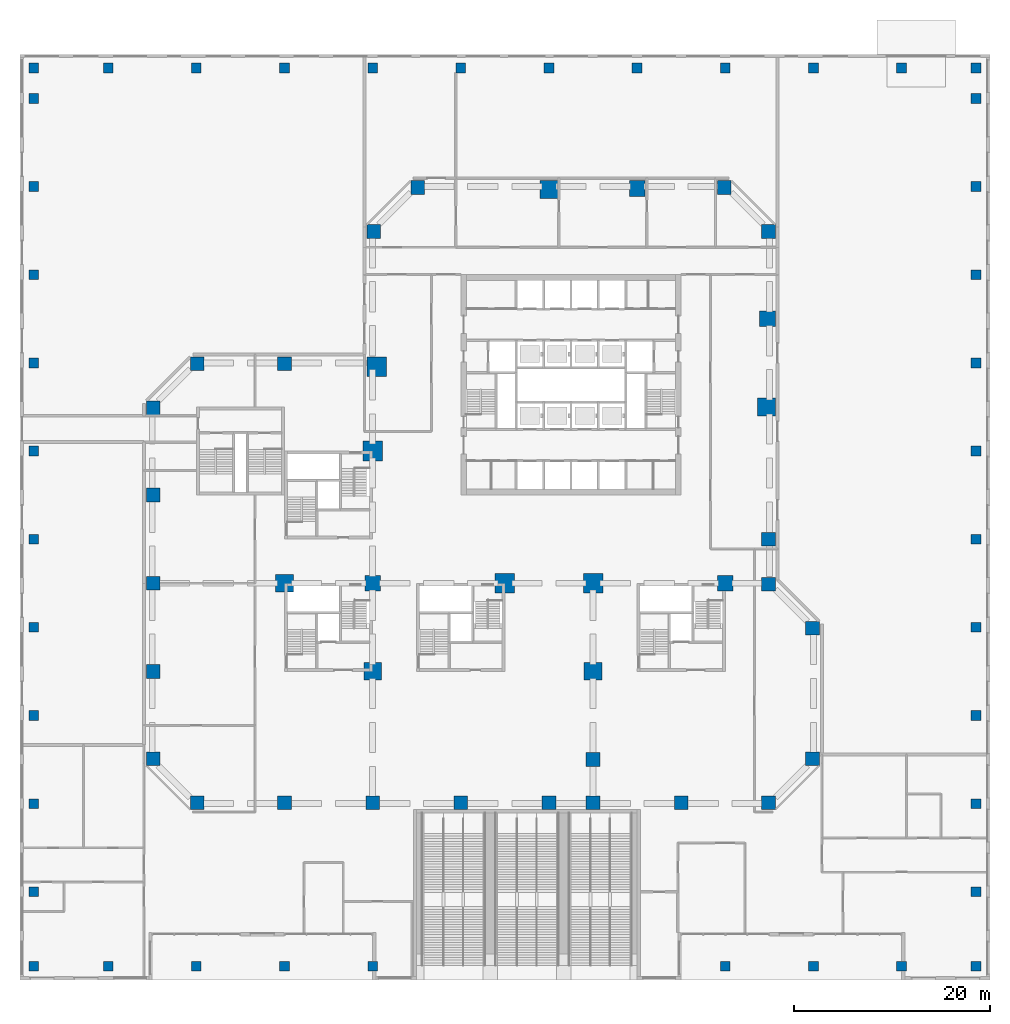
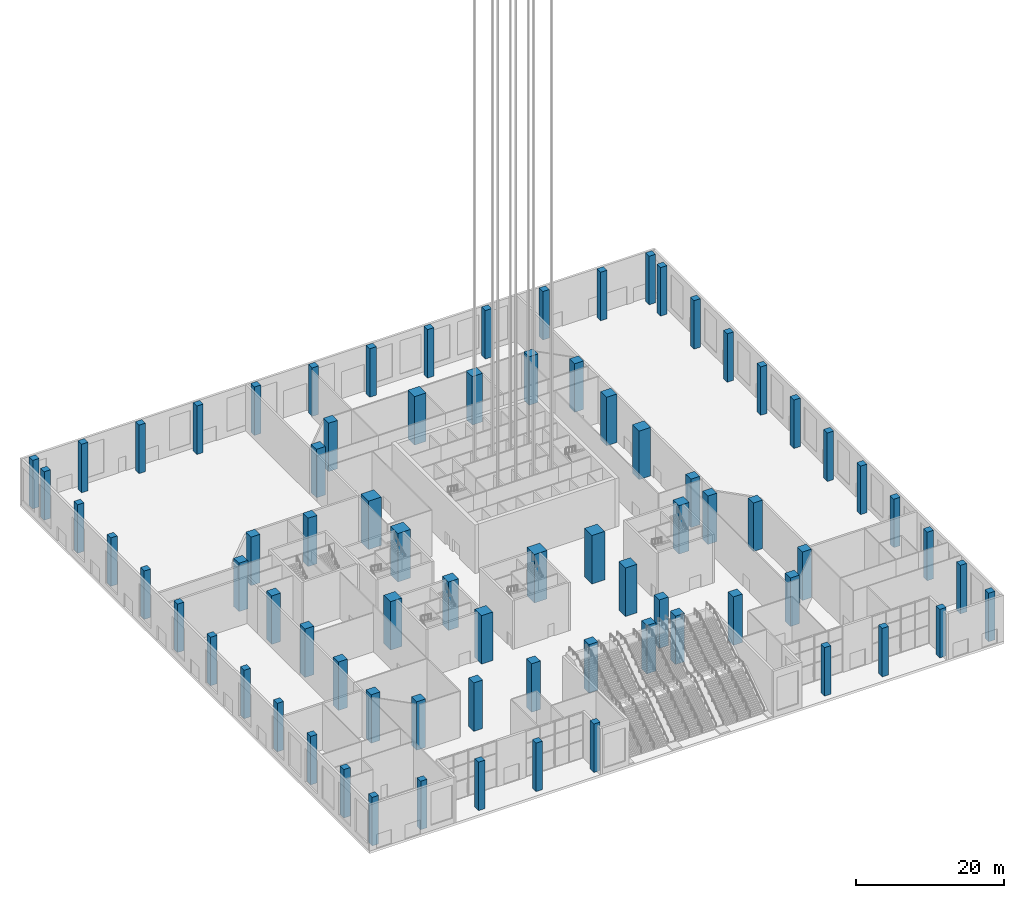
# One storey, part 1 of 32: 78 columns.
"""IFC4 building model written with IfcOpenShell, lengths in metres."""

from ifc_helpers import new_model, si_unit, direction, frame, origin, origin_2d, place, context, subcontext, project, spatial, rectangle, extrude, material, material_profile, profile_set, type_object, element, save


model = new_model("IFC4")

# Units and contexts
model_context = context("Model", 3, precision=1e-05, world=origin(), true_north=direction((0.0, 1.0)))
body_context = subcontext(model_context, "Body", "Model", "MODEL_VIEW")
ifc_project = project(units=[si_unit("LENGTHUNIT", "METRE"), si_unit("AREAUNIT", "SQUARE_METRE"), si_unit("VOLUMEUNIT", "CUBIC_METRE"), si_unit("PLANEANGLEUNIT", "RADIAN"), si_unit("MASSUNIT", "GRAM", prefix="KILO")], contexts=[model_context])

# Site, building, storey
site_placement = place(None, origin())
site = spatial("IfcSite", under=ifc_project, at=site_placement, CompositionType="ELEMENT")
building_placement = place(site_placement, origin())
building = spatial("IfcBuilding", under=site, at=building_placement, Name="Quoin Convention Tower", CompositionType="ELEMENT")
storey_placement = place(building_placement, origin())
storey = spatial("IfcBuildingStorey", under=building, at=storey_placement, Name="L00", CompositionType="ELEMENT", Elevation=0.0)

# Columns
ifc_material = material(Name="Concrete C100 (100 MPa)", Category="concrete")
ifc_material_profile_1 = material_profile(ifc_material, rectangle(XDim=1.0, YDim=1.0, at=origin_2d()), Name="RC 1000x1000")
ifc_profile_set_1 = profile_set([ifc_material_profile_1], Name="Concrete C100 (100 MPa)")
column_type_1 = type_object("IfcColumnType", Name="RC 1000x1000 C100", PredefinedType="COLUMN", material=ifc_profile_set_1)
for number, where, z_axis, x_axis, name in (
    (1, (1.39990234375, 1.39990234375, 0.0), (0.0, 0.0, 1.0), (1.0, 0.0, 0.0), "col-L00-X1400_1400"),
    (2, (9.0, 1.39990234375, 0.0), (0.0, 0.0, 1.0), (1.0, 0.0, 0.0), "col-L00-X9000_1400"),
    (3, (18.0, 1.39990234375, 0.0), (0.0, 0.0, 1.0), (1.0, 0.0, 0.0), "col-L00-X18000_1400"),
    (4, (27.0, 1.39990234375, 0.0), (0.0, 0.0, 1.0), (1.0, 0.0, 0.0), "col-L00-X27000_1400"),
    (5, (36.0, 1.39990234375, 0.0), (0.0, 0.0, 1.0), (1.0, 0.0, 0.0), "col-L00-X36000_1400"),
    (6, (72.0, 1.39990234375, 0.0), (0.0, 0.0, 1.0), (1.0, 0.0, 0.0), "col-L00-X72000_1400"),
    (7, (81.0, 1.39990234375, 0.0), (0.0, 0.0, 1.0), (1.0, 0.0, 0.0), "col-L00-X81000_1400"),
    (8, (90.0, 1.39990234375, 0.0), (0.0, 0.0, 1.0), (1.0, 0.0, 0.0), "col-L00-X90000_1400"),
    (9, (97.60009765625, 1.39990234375, 0.0), (0.0, 0.0, 1.0), (1.0, 0.0, 0.0), "col-L00-X97600_1400"),
    (10, (1.39990234375, 9.0, 0.0), (0.0, 0.0, 1.0), (1.0, 0.0, 0.0), "col-L00-X1400_9000"),
    (11, (97.60009765625, 9.0, 0.0), (0.0, 0.0, 1.0), (1.0, 0.0, 0.0), "col-L00-X97600_9000"),
    (12, (1.39990234375, 18.0, 0.0), (0.0, 0.0, 1.0), (1.0, 0.0, 0.0), "col-L00-X1400_18000"),
    (13, (97.60009765625, 18.0, 0.0), (0.0, 0.0, 1.0), (1.0, 0.0, 0.0), "col-L00-X97600_18000"),
    (14, (1.39990234375, 27.0, 0.0), (0.0, 0.0, 1.0), (1.0, 0.0, 0.0), "col-L00-X1400_27000"),
    (15, (97.60009765625, 27.0, 0.0), (0.0, 0.0, 1.0), (1.0, 0.0, 0.0), "col-L00-X97600_27000"),
    (16, (1.39990234375, 36.0, 0.0), (0.0, 0.0, 1.0), (1.0, 0.0, 0.0), "col-L00-X1400_36000"),
    (17, (97.60009765625, 36.0, 0.0), (0.0, 0.0, 1.0), (1.0, 0.0, 0.0), "col-L00-X97600_36000"),
    (18, (1.39990234375, 45.0, 0.0), (0.0, 0.0, 1.0), (1.0, 0.0, 0.0), "col-L00-X1400_45000"),
    (19, (97.60009765625, 45.0, 0.0), (0.0, 0.0, 1.0), (1.0, 0.0, 0.0), "col-L00-X97600_45000"),
    (20, (1.39990234375, 54.0, 0.0), (0.0, 0.0, 1.0), (1.0, 0.0, 0.0), "col-L00-X1400_54000"),
    (21, (97.60009765625, 54.0, 0.0), (0.0, 0.0, 1.0), (1.0, 0.0, 0.0), "col-L00-X97600_54000"),
    (22, (1.39990234375, 63.0, 0.0), (0.0, 0.0, 1.0), (1.0, 0.0, 0.0), "col-L00-X1400_63000"),
    (23, (97.60009765625, 63.0, 0.0), (0.0, 0.0, 1.0), (1.0, 0.0, 0.0), "col-L00-X97600_63000"),
    (24, (1.39990234375, 72.0, 0.0), (0.0, 0.0, 1.0), (1.0, 0.0, 0.0), "col-L00-X1400_72000"),
    (25, (97.60009765625, 72.0, 0.0), (0.0, 0.0, 1.0), (1.0, 0.0, 0.0), "col-L00-X97600_72000"),
    (26, (1.39990234375, 81.0, 0.0), (0.0, 0.0, 1.0), (1.0, 0.0, 0.0), "col-L00-X1400_81000"),
    (27, (97.60009765625, 81.0, 0.0), (0.0, 0.0, 1.0), (1.0, 0.0, 0.0), "col-L00-X97600_81000"),
    (28, (1.39990234375, 90.0, 0.0), (0.0, 0.0, 1.0), (1.0, 0.0, 0.0), "col-L00-X1400_90000"),
    (29, (97.60009765625, 90.0, 0.0), (0.0, 0.0, 1.0), (1.0, 0.0, 0.0), "col-L00-X97600_90000"),
    (30, (1.39990234375, 93.10009765625, 0.0), (0.0, 0.0, 1.0), (1.0, 0.0, 0.0), "col-L00-X1400_93100"),
    (31, (9.0, 93.10009765625, 0.0), (0.0, 0.0, 1.0), (1.0, 0.0, 0.0), "col-L00-X9000_93100"),
    (32, (18.0, 93.10009765625, 0.0), (0.0, 0.0, 1.0), (1.0, 0.0, 0.0), "col-L00-X18000_93100"),
    (33, (27.0, 93.10009765625, 0.0), (0.0, 0.0, 1.0), (1.0, 0.0, 0.0), "col-L00-X27000_93100"),
    (34, (36.0, 93.10009765625, 0.0), (0.0, 0.0, 1.0), (1.0, 0.0, 0.0), "col-L00-X36000_93100"),
    (35, (45.0, 93.10009765625, 0.0), (0.0, 0.0, 1.0), (1.0, 0.0, 0.0), "col-L00-X45000_93100"),
    (36, (54.0, 93.10009765625, 0.0), (0.0, 0.0, 1.0), (1.0, 0.0, 0.0), "col-L00-X54000_93100"),
    (37, (63.0, 93.10009765625, 0.0), (0.0, 0.0, 1.0), (1.0, 0.0, 0.0), "col-L00-X63000_93100"),
    (38, (72.0, 93.10009765625, 0.0), (0.0, 0.0, 1.0), (1.0, 0.0, 0.0), "col-L00-X72000_93100"),
    (39, (81.0, 93.10009765625, 0.0), (0.0, 0.0, 1.0), (1.0, 0.0, 0.0), "col-L00-X81000_93100"),
    (40, (90.0, 93.10009765625, 0.0), (0.0, 0.0, 1.0), (1.0, 0.0, 0.0), "col-L00-X90000_93100"),
    (41, (97.60009765625, 93.10009765625, 0.0), (0.0, 0.0, 1.0), (1.0, 0.0, 0.0), "col-L00-X97600_93100"),
):
    element("IfcColumn", number, at=place(storey_placement, frame(where, z_axis=z_axis, x_axis=x_axis)), inside=storey, type_object=column_type_1, Name=name, PredefinedType="COLUMN", context=body_context, shape_type="SweptSolid", body=[
        extrude(rectangle(XDim=1.0, YDim=1.0, at=origin_2d()), origin(), (0.0, 0.0, 1.0), 8.0),
    ])
ifc_material_profile_2 = material_profile(ifc_material, rectangle(XDim=1.39990234375, YDim=1.39990234375, at=origin_2d()), Name="RC 1400x1400")
ifc_profile_set_2 = profile_set([ifc_material_profile_2], Name="Concrete C100 (100 MPa)")
column_type_2 = type_object("IfcColumnType", Name="RC 1400x1400 C100", PredefinedType="COLUMN", material=ifc_profile_set_2)
for number, where, z_axis, x_axis, name in (
    (42, (18.10009765625, 18.10009765625, 0.0), (0.0, 0.0, 1.0), (1.0, 0.0, 0.0), "col-L00-18000_18000"),
    (43, (27.0, 18.10009765625, 0.0), (0.0, 0.0, 1.0), (1.0, 0.0, 0.0), "col-L00-27000_18000"),
    (44, (36.0, 18.10009765625, 0.0), (0.0, 0.0, 1.0), (1.0, 0.0, 0.0), "col-L00-36000_18000"),
    (45, (45.0, 18.10009765625, 0.0), (0.0, 0.0, 1.0), (1.0, 0.0, 0.0), "col-L00-45000_18000"),
    (46, (54.0, 18.10009765625, 0.0), (0.0, 0.0, 1.0), (1.0, 0.0, 0.0), "col-L00-54000_18000"),
    (47, (58.5, 18.10009765625, 0.0), (0.0, 0.0, 1.0), (1.0, 0.0, 0.0), "col-L00-58500_18000"),
    (48, (67.5, 18.10009765625, 0.0), (0.0, 0.0, 1.0), (1.0, 0.0, 0.0), "col-L00-67500_18000"),
    (49, (76.39990234375, 18.10009765625, 0.0), (0.0, 0.0, 1.0), (1.0, 0.0, 0.0), "col-L00-76500_18000"),
    (50, (13.60009765625, 22.60009765625, 0.0), (0.0, 0.0, 1.0), (1.0, 0.0, 0.0), "col-L00-13500_22500"),
    (51, (58.5, 22.5, 0.0), (0.0, 0.0, 1.0), (1.0, 0.0, 0.0), "web-L00-58500_22500"),
    (52, (80.89990234375, 22.60009765625, 0.0), (0.0, 0.0, 1.0), (1.0, 0.0, 0.0), "col-L00-81000_22500"),
    (53, (13.60009765625, 31.5, 0.0), (0.0, 0.0, 1.0), (1.0, 0.0, 0.0), "col-L00-13500_31500"),
    (54, (80.89990234375, 35.89990234375, 0.0), (0.0, 0.0, 1.0), (1.0, 0.0, 0.0), "col-L00-81000_36000"),
    (55, (13.60009765625, 40.5, 0.0), (0.0, 0.0, 1.0), (1.0, 0.0, 0.0), "col-L00-13500_40500"),
    (56, (76.39990234375, 40.39990234375, 0.0), (0.0, 0.0, 1.0), (1.0, 0.0, 0.0), "col-L00-76500_40500"),
    (57, (76.39990234375, 45.0, 0.0), (0.0, 0.0, 1.0), (1.0, 0.0, 0.0), "col-L00-76500_45000"),
    (58, (13.60009765625, 49.5, 0.0), (0.0, 0.0, 1.0), (1.0, 0.0, 0.0), "col-L00-13500_49500"),
    (59, (13.60009765625, 58.39990234375, 0.0), (0.0, 0.0, 1.0), (1.0, 0.0, 0.0), "col-L00-13500_58500"),
    (60, (18.10009765625, 62.89990234375, 0.0), (0.0, 0.0, 1.0), (1.0, 0.0, 0.0), "col-L00-18000_63000"),
    (61, (27.0, 62.89990234375, 0.0), (0.0, 0.0, 1.0), (1.0, 0.0, 0.0), "col-L00-27000_63000"),
    (62, (36.10009765625, 76.39990234375, 0.0), (0.0, 0.0, 1.0), (1.0, 0.0, 0.0), "col-L00-36000_76500"),
    (63, (76.39990234375, 76.39990234375, 0.0), (0.0, 0.0, 1.0), (1.0, 0.0, 0.0), "col-L00-76500_76500"),
    (64, (40.60009765625, 80.89990234375, 0.0), (0.0, 0.0, 1.0), (1.0, 0.0, 0.0), "col-L00-40500_81000"),
    (65, (71.89990234375, 80.89990234375, 0.0), (0.0, 0.0, 1.0), (1.0, 0.0, 0.0), "col-L00-72000_81000"),
):
    element("IfcColumn", number, at=place(storey_placement, frame(where, z_axis=z_axis, x_axis=x_axis)), inside=storey, type_object=column_type_2, Name=name, PredefinedType="COLUMN", context=body_context, shape_type="SweptSolid", body=[
        extrude(rectangle(XDim=1.39990234375, YDim=1.39990234375, at=origin_2d()), origin(), (0.0, 0.0, 1.0), 8.0),
    ])
ifc_material_profile_3 = material_profile(ifc_material, rectangle(XDim=1.60009765625, YDim=1.60009765625, at=origin_2d()), Name="RC 1600x1600")
ifc_profile_set_3 = profile_set([ifc_material_profile_3], Name="Concrete C100 (100 MPa)")
column_type_3 = type_object("IfcColumnType", Name="RC 1600x1600 C100", PredefinedType="COLUMN", material=ifc_profile_set_3)
for number, where, z_axis, x_axis, name in (
    (66, (36.0, 40.5, 0.0), (0.0, 0.0, 1.0), (1.0, 0.0, 0.0), "web-L00-36000_40500"),
    (67, (72.0, 40.5, 0.0), (0.0, 0.0, 1.0), (1.0, 0.0, 0.0), "web-L00-72000_40500"),
    (68, (76.300048828125, 67.5, 0.0), (0.0, 0.0, 1.0), (1.0, 0.0, 0.0), "col-L00-76500_67500"),
    (69, (63.0, 80.800048828125, 0.0), (0.0, 0.0, 1.0), (1.0, 0.0, 0.0), "col-L00-63000_81000"),
):
    element("IfcColumn", number, at=place(storey_placement, frame(where, z_axis=z_axis, x_axis=x_axis)), inside=storey, type_object=column_type_3, Name=name, PredefinedType="COLUMN", context=body_context, shape_type="SweptSolid", body=[
        extrude(rectangle(XDim=1.60009765625, YDim=1.60009765625, at=origin_2d()), origin(), (0.0, 0.0, 1.0), 8.0),
    ])
ifc_material_profile_4 = material_profile(ifc_material, rectangle(XDim=1.800048828125, YDim=1.800048828125, at=origin_2d()), Name="RC 1800x1800")
ifc_profile_set_4 = profile_set([ifc_material_profile_4], Name="Concrete C100 (100 MPa)")
column_type_4 = type_object("IfcColumnType", Name="RC 1800x1800 C100", PredefinedType="COLUMN", material=ifc_profile_set_4)
for number, where, z_axis, x_axis, name in (
    (70, (36.0, 31.5, 0.0), (0.0, 0.0, 1.0), (1.0, 0.0, 0.0), "web-L00-36000_31500"),
    (71, (58.5, 31.5, 0.0), (0.0, 0.0, 1.0), (1.0, 0.0, 0.0), "web-L00-58500_31500"),
    (72, (27.0, 40.5, 0.0), (0.0, 0.0, 1.0), (1.0, 0.0, 0.0), "web-L00-27000_40500"),
    (73, (76.199951171875, 58.5, 0.0), (0.0, 0.0, 1.0), (1.0, 0.0, 0.0), "col-L00-76500_58500"),
    (74, (54.0, 80.699951171875, 0.0), (0.0, 0.0, 1.0), (1.0, 0.0, 0.0), "col-L00-54000_81000"),
):
    element("IfcColumn", number, at=place(storey_placement, frame(where, z_axis=z_axis, x_axis=x_axis)), inside=storey, type_object=column_type_4, Name=name, PredefinedType="COLUMN", context=body_context, shape_type="SweptSolid", body=[
        extrude(rectangle(XDim=1.800048828125, YDim=1.800048828125, at=origin_2d()), origin(), (0.0, 0.0, 1.0), 8.0),
    ])
ifc_material_profile_5 = material_profile(ifc_material, rectangle(XDim=2.0, YDim=2.0, at=origin_2d()), Name="RC 2000x2000")
ifc_profile_set_5 = profile_set([ifc_material_profile_5], Name="Concrete C100 (100 MPa)")
column_type_5 = type_object("IfcColumnType", Name="RC 2000x2000 C100", PredefinedType="COLUMN", material=ifc_profile_set_5)
for number, where, z_axis, x_axis, name in (
    (75, (49.5, 40.5, 0.0), (0.0, 0.0, 1.0), (1.0, 0.0, 0.0), "web-L00-49500_40500"),
    (76, (58.5, 40.5, 0.0), (0.0, 0.0, 1.0), (1.0, 0.0, 0.0), "web-L00-58500_40500"),
    (77, (36.0, 54.0, 0.0), (0.0, 0.0, 1.0), (1.0, 0.0, 0.0), "web-L00-36000_54000"),
    (78, (36.39990234375, 62.60009765625, 0.0), (0.0, 0.0, 1.0), (1.0, 0.0, 0.0), "col-L00-36000_63000"),
):
    element("IfcColumn", number, at=place(storey_placement, frame(where, z_axis=z_axis, x_axis=x_axis)), inside=storey, type_object=column_type_5, Name=name, PredefinedType="COLUMN", context=body_context, shape_type="SweptSolid", body=[
        extrude(rectangle(XDim=2.0, YDim=2.0, at=origin_2d()), origin(), (0.0, 0.0, 1.0), 8.0),
    ])

save(model, "model.ifc")
